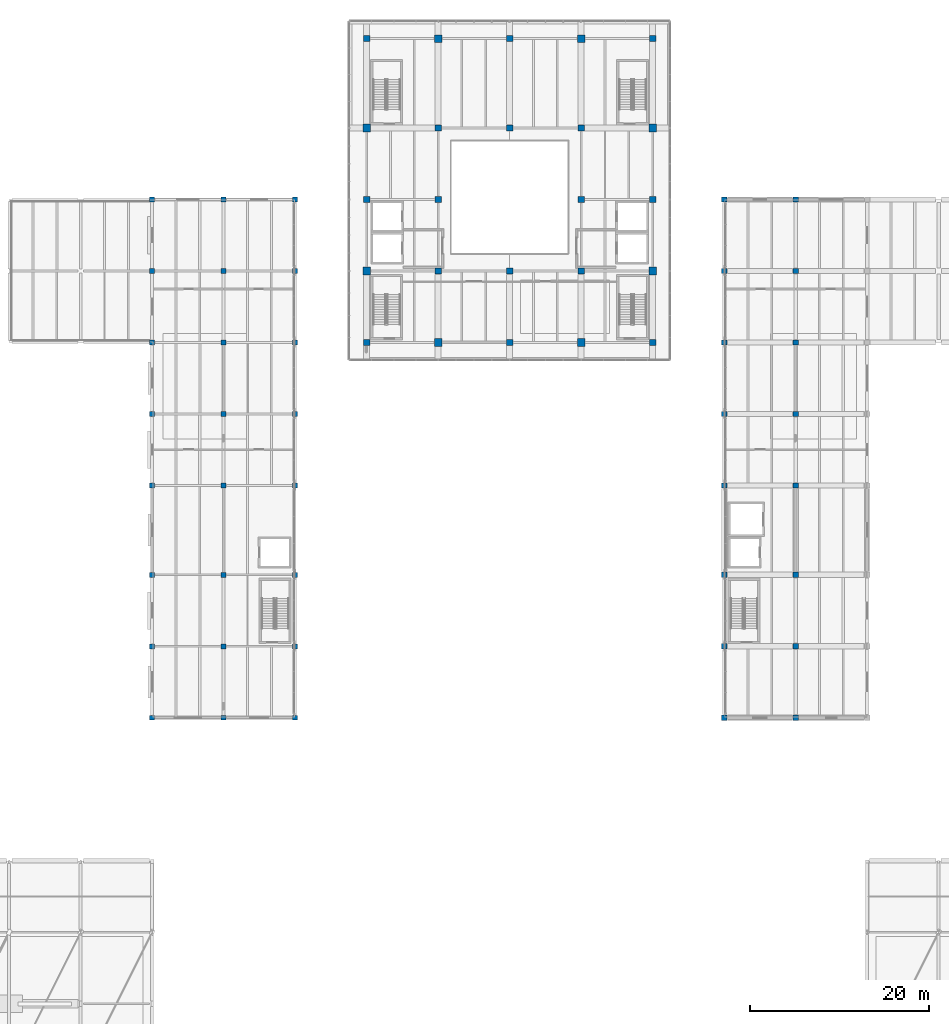
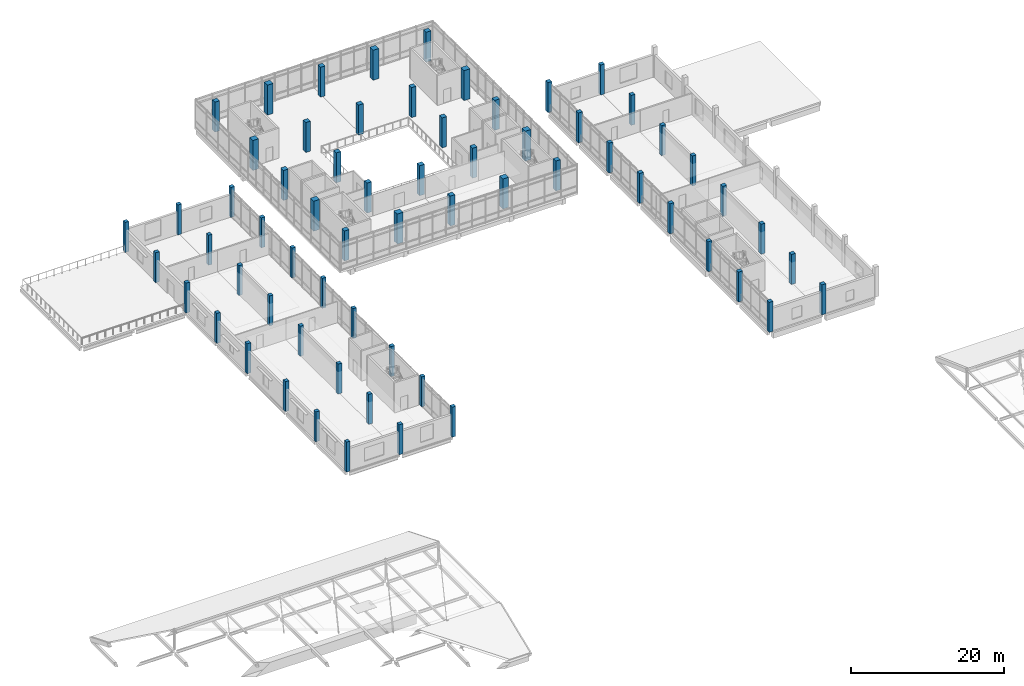
# One storey, part 3 of 47: 64 columns.
"""IFC4 building model written with IfcOpenShell, lengths in metres."""

from ifc_helpers import new_model, si_unit, direction, frame, origin, origin_2d, place, context, subcontext, project, spatial, rectangle, extrude, material, material_profile, profile_set, type_object, element, save


model = new_model("IFC4")

# Units and contexts
model_context = context("Model", 3, precision=1e-05, world=origin(), true_north=direction((0.0, 1.0)))
body_context = subcontext(model_context, "Body", "Model", "MODEL_VIEW")
ifc_project = project(units=[si_unit("LENGTHUNIT", "METRE"), si_unit("AREAUNIT", "SQUARE_METRE"), si_unit("VOLUMEUNIT", "CUBIC_METRE"), si_unit("PLANEANGLEUNIT", "RADIAN"), si_unit("MASSUNIT", "GRAM", prefix="KILO")], contexts=[model_context])

# Site, building, storey
site_placement = place(None, origin())
site = spatial("IfcSite", under=ifc_project, at=site_placement, CompositionType="ELEMENT")
building_placement = place(site_placement, origin())
building = spatial("IfcBuilding", under=site, at=building_placement, Name="Pecanmere Concourse Central Library", CompositionType="ELEMENT")
storey_placement = place(building_placement, frame((0.0, 0.0, 15.300048828125)))
storey = spatial("IfcBuildingStorey", under=building, at=storey_placement, Name="L04", CompositionType="ELEMENT", Elevation=15.300048828125)

# Columns
ifc_material_1 = material(Name="Concrete C40/50", Category="concrete")
ifc_material_profile_1 = material_profile(ifc_material_1, rectangle(XDim=0.550048828125, YDim=0.550048828125, at=origin_2d()), Name="RC 550x550")
ifc_profile_set_1 = profile_set([ifc_material_profile_1], Name="Concrete C40/50")
column_type_1 = type_object("IfcColumnType", Name="COL_RC_550x550", PredefinedType="COLUMN", material=ifc_profile_set_1)
for number, where, z_axis, x_axis, name in (
    (1, (48.0, 48.0, 0.0), (0.0, 0.0, 1.0), (1.0, 0.0, 0.0), "Column C-09 L04-001"),
    (2, (48.0, 56.0, 0.0), (0.0, 0.0, 1.0), (1.0, 0.0, 0.0), "Column C-09 L04-002"),
    (3, (48.0, 64.0, 0.0), (0.0, 0.0, 1.0), (1.0, 0.0, 0.0), "Column C-09 L04-003"),
    (4, (48.0, 74.0, 0.0), (0.0, 0.0, 1.0), (1.0, 0.0, 0.0), "Column C-09 L04-004"),
    (5, (48.0, 82.0, 0.0), (0.0, 0.0, 1.0), (1.0, 0.0, 0.0), "Column C-09 L04-005"),
    (6, (48.0, 90.0, 0.0), (0.0, 0.0, 1.0), (1.0, 0.0, 0.0), "Column C-09 L04-006"),
    (7, (48.0, 98.0, 0.0), (0.0, 0.0, 1.0), (1.0, 0.0, 0.0), "Column C-09 L04-007"),
    (8, (48.0, 106.0, 0.0), (0.0, 0.0, 1.0), (1.0, 0.0, 0.0), "Column C-09 L04-008"),
    (9, (56.0, 48.0, 0.0), (0.0, 0.0, 1.0), (1.0, 0.0, 0.0), "Column C-09 L04-009"),
    (10, (56.0, 56.0, 0.0), (0.0, 0.0, 1.0), (1.0, 0.0, 0.0), "Column C-09 L04-010"),
    (11, (56.0, 64.0, 0.0), (0.0, 0.0, 1.0), (1.0, 0.0, 0.0), "Column C-09 L04-011"),
    (12, (56.0, 74.0, 0.0), (0.0, 0.0, 1.0), (1.0, 0.0, 0.0), "Column C-09 L04-012"),
    (13, (56.0, 82.0, 0.0), (0.0, 0.0, 1.0), (1.0, 0.0, 0.0), "Column C-09 L04-013"),
    (14, (56.0, 90.0, 0.0), (0.0, 0.0, 1.0), (1.0, 0.0, 0.0), "Column C-09 L04-014"),
    (15, (56.0, 98.0, 0.0), (0.0, 0.0, 1.0), (1.0, 0.0, 0.0), "Column C-09 L04-015"),
    (16, (56.0, 106.0, 0.0), (0.0, 0.0, 1.0), (1.0, 0.0, 0.0), "Column C-09 L04-016"),
    (17, (64.0, 48.0, 0.0), (0.0, 0.0, 1.0), (1.0, 0.0, 0.0), "Column C-09 L04-017"),
    (18, (64.0, 56.0, 0.0), (0.0, 0.0, 1.0), (1.0, 0.0, 0.0), "Column C-09 L04-018"),
    (19, (64.0, 64.0, 0.0), (0.0, 0.0, 1.0), (1.0, 0.0, 0.0), "Column C-09 L04-019"),
    (20, (64.0, 74.0, 0.0), (0.0, 0.0, 1.0), (1.0, 0.0, 0.0), "Column C-09 L04-020"),
    (21, (64.0, 82.0, 0.0), (0.0, 0.0, 1.0), (1.0, 0.0, 0.0), "Column C-09 L04-021"),
    (22, (64.0, 90.0, 0.0), (0.0, 0.0, 1.0), (1.0, 0.0, 0.0), "Column C-09 L04-022"),
    (23, (64.0, 98.0, 0.0), (0.0, 0.0, 1.0), (1.0, 0.0, 0.0), "Column C-09 L04-023"),
    (24, (64.0, 106.0, 0.0), (0.0, 0.0, 1.0), (1.0, 0.0, 0.0), "Column C-09 L04-024"),
):
    element("IfcColumn", number, at=place(storey_placement, frame(where, z_axis=z_axis, x_axis=x_axis)), inside=storey, type_object=column_type_1, Name=name, PredefinedType="COLUMN", context=body_context, shape_type="SweptSolid", body=[
        extrude(rectangle(XDim=0.550048828125, YDim=0.550048828125, at=origin_2d()), origin(), (0.0, 0.0, 1.0), 4.800048828125),
    ])
ifc_material_2 = material(Name="Concrete C40/50", Category="concrete")
ifc_material_profile_2 = material_profile(ifc_material_2, rectangle(XDim=0.60009765625, YDim=0.60009765625, at=origin_2d()), Name="RC 600x600")
ifc_profile_set_2 = profile_set([ifc_material_profile_2], Name="Concrete C40/50")
column_type_2 = type_object("IfcColumnType", Name="COL_RC_600x600", PredefinedType="COLUMN", material=ifc_profile_set_2)
for number, where, z_axis, x_axis, name in (
    (25, (112.0, 48.0, 0.0), (0.0, 0.0, 1.0), (1.0, 0.0, 0.0), "Column C-08 L04-049"),
    (26, (112.0, 56.0, 0.0), (0.0, 0.0, 1.0), (1.0, 0.0, 0.0), "Column C-08 L04-050"),
    (27, (112.0, 64.0, 0.0), (0.0, 0.0, 1.0), (1.0, 0.0, 0.0), "Column C-08 L04-051"),
    (28, (112.0, 74.0, 0.0), (0.0, 0.0, 1.0), (1.0, 0.0, 0.0), "Column C-08 L04-052"),
    (29, (112.0, 82.0, 0.0), (0.0, 0.0, 1.0), (1.0, 0.0, 0.0), "Column C-08 L04-053"),
    (30, (112.0, 90.0, 0.0), (0.0, 0.0, 1.0), (1.0, 0.0, 0.0), "Column C-08 L04-054"),
    (31, (112.0, 98.0, 0.0), (0.0, 0.0, 1.0), (1.0, 0.0, 0.0), "Column C-08 L04-055"),
    (32, (112.0, 106.0, 0.0), (0.0, 0.0, 1.0), (1.0, 0.0, 0.0), "Column C-08 L04-056"),
    (33, (120.0, 48.0, 0.0), (0.0, 0.0, 1.0), (1.0, 0.0, 0.0), "Column C-08 L04-057"),
    (34, (120.0, 56.0, 0.0), (0.0, 0.0, 1.0), (1.0, 0.0, 0.0), "Column C-08 L04-058"),
    (35, (120.0, 64.0, 0.0), (0.0, 0.0, 1.0), (1.0, 0.0, 0.0), "Column C-08 L04-059"),
    (36, (120.0, 74.0, 0.0), (0.0, 0.0, 1.0), (1.0, 0.0, 0.0), "Column C-08 L04-060"),
    (37, (120.0, 82.0, 0.0), (0.0, 0.0, 1.0), (1.0, 0.0, 0.0), "Column C-08 L04-061"),
    (38, (120.0, 90.0, 0.0), (0.0, 0.0, 1.0), (1.0, 0.0, 0.0), "Column C-08 L04-062"),
    (39, (120.0, 98.0, 0.0), (0.0, 0.0, 1.0), (1.0, 0.0, 0.0), "Column C-08 L04-063"),
    (40, (120.0, 106.0, 0.0), (0.0, 0.0, 1.0), (1.0, 0.0, 0.0), "Column C-08 L04-064"),
):
    element("IfcColumn", number, at=place(storey_placement, frame(where, z_axis=z_axis, x_axis=x_axis)), inside=storey, type_object=column_type_2, Name=name, PredefinedType="COLUMN", context=body_context, shape_type="SweptSolid", body=[
        extrude(rectangle(XDim=0.60009765625, YDim=0.60009765625, at=origin_2d()), origin(), (0.0, 0.0, 1.0), 4.800048828125),
    ])
ifc_material_3 = material(Name="Concrete C40/50", Category="concrete")
ifc_material_profile_3 = material_profile(ifc_material_3, rectangle(XDim=0.699951171875, YDim=0.699951171875, at=origin_2d()), Name="RC 700x700")
ifc_profile_set_3 = profile_set([ifc_material_profile_3], Name="Concrete C40/50")
column_type_3 = type_object("IfcColumnType", Name="COL_RC_700x700", PredefinedType="COLUMN", material=ifc_profile_set_3)
for number, where, z_axis, x_axis, name in (
    (41, (72.0, 90.0, 0.0), (0.0, 0.0, 1.0), (1.0, 0.0, 0.0), "Column C-06 L04-025"),
    (42, (72.0, 106.0, 0.0), (0.0, 0.0, 1.0), (1.0, 0.0, 0.0), "Column C-06 L04-027"),
    (43, (72.0, 124.0, 0.0), (0.0, 0.0, 1.0), (1.0, 0.0, 0.0), "Column C-06 L04-029"),
    (44, (80.0, 98.0, 0.0), (0.0, 0.0, 1.0), (1.0, 0.0, 0.0), "Column C-06 L04-031"),
    (45, (80.0, 106.0, 0.0), (0.0, 0.0, 1.0), (1.0, 0.0, 0.0), "Column C-06 L04-032"),
    (46, (80.0, 114.0, 0.0), (0.0, 0.0, 1.0), (1.0, 0.0, 0.0), "Column C-06 L04-033"),
    (47, (88.0, 90.0, 0.0), (0.0, 0.0, 1.0), (1.0, 0.0, 0.0), "Column C-06 L04-035"),
    (48, (88.0, 98.0, 0.0), (0.0, 0.0, 1.0), (1.0, 0.0, 0.0), "Column C-06 L04-036"),
    (49, (88.0, 114.0, 0.0), (0.0, 0.0, 1.0), (1.0, 0.0, 0.0), "Column C-06 L04-037"),
    (50, (88.0, 124.0, 0.0), (0.0, 0.0, 1.0), (1.0, 0.0, 0.0), "Column C-06 L04-038"),
    (51, (96.0, 98.0, 0.0), (0.0, 0.0, 1.0), (1.0, 0.0, 0.0), "Column C-06 L04-040"),
    (52, (96.0, 106.0, 0.0), (0.0, 0.0, 1.0), (1.0, 0.0, 0.0), "Column C-06 L04-041"),
    (53, (96.0, 114.0, 0.0), (0.0, 0.0, 1.0), (1.0, 0.0, 0.0), "Column C-06 L04-042"),
    (54, (104.0, 90.0, 0.0), (0.0, 0.0, 1.0), (1.0, 0.0, 0.0), "Column C-06 L04-044"),
    (55, (104.0, 106.0, 0.0), (0.0, 0.0, 1.0), (1.0, 0.0, 0.0), "Column C-06 L04-046"),
    (56, (104.0, 124.0, 0.0), (0.0, 0.0, 1.0), (1.0, 0.0, 0.0), "Column C-06 L04-048"),
):
    element("IfcColumn", number, at=place(storey_placement, frame(where, z_axis=z_axis, x_axis=x_axis)), inside=storey, type_object=column_type_3, Name=name, PredefinedType="COLUMN", context=body_context, shape_type="SweptSolid", body=[
        extrude(rectangle(XDim=0.699951171875, YDim=0.699951171875, at=origin_2d()), origin(), (0.0, 0.0, 1.0), 4.800048828125),
    ])
ifc_material_4 = material(Name="Concrete C40/50", Category="concrete")
ifc_material_profile_4 = material_profile(ifc_material_4, rectangle(XDim=0.860107421875, YDim=0.860107421875, at=origin_2d()), Name="RC 860x860")
ifc_profile_set_4 = profile_set([ifc_material_profile_4], Name="Concrete C40/50")
column_type_4 = type_object("IfcColumnType", Name="COL_RC_860x860", PredefinedType="COLUMN", material=ifc_profile_set_4)
for number, where, z_axis, x_axis, name in (
    (57, (72.0, 98.0, 0.0), (0.0, 0.0, 1.0), (1.0, 0.0, 0.0), "Column C-03 L04-026"),
    (58, (72.0, 114.0, 0.0), (0.0, 0.0, 1.0), (1.0, 0.0, 0.0), "Column C-03 L04-028"),
    (59, (80.0, 90.0, 0.0), (0.0, 0.0, 1.0), (1.0, 0.0, 0.0), "Column C-03 L04-030"),
    (60, (80.0, 124.0, 0.0), (0.0, 0.0, 1.0), (1.0, 0.0, 0.0), "Column C-03 L04-034"),
    (61, (96.0, 90.0, 0.0), (0.0, 0.0, 1.0), (1.0, 0.0, 0.0), "Column C-03 L04-039"),
    (62, (96.0, 124.0, 0.0), (0.0, 0.0, 1.0), (1.0, 0.0, 0.0), "Column C-03 L04-043"),
    (63, (104.0, 98.0, 0.0), (0.0, 0.0, 1.0), (1.0, 0.0, 0.0), "Column C-03 L04-045"),
    (64, (104.0, 114.0, 0.0), (0.0, 0.0, 1.0), (1.0, 0.0, 0.0), "Column C-03 L04-047"),
):
    element("IfcColumn", number, at=place(storey_placement, frame(where, z_axis=z_axis, x_axis=x_axis)), inside=storey, type_object=column_type_4, Name=name, PredefinedType="COLUMN", context=body_context, shape_type="SweptSolid", body=[
        extrude(rectangle(XDim=0.860107421875, YDim=0.860107421875, at=origin_2d()), origin(), (0.0, 0.0, 1.0), 4.800048828125),
    ])

save(model, "model.ifc")
